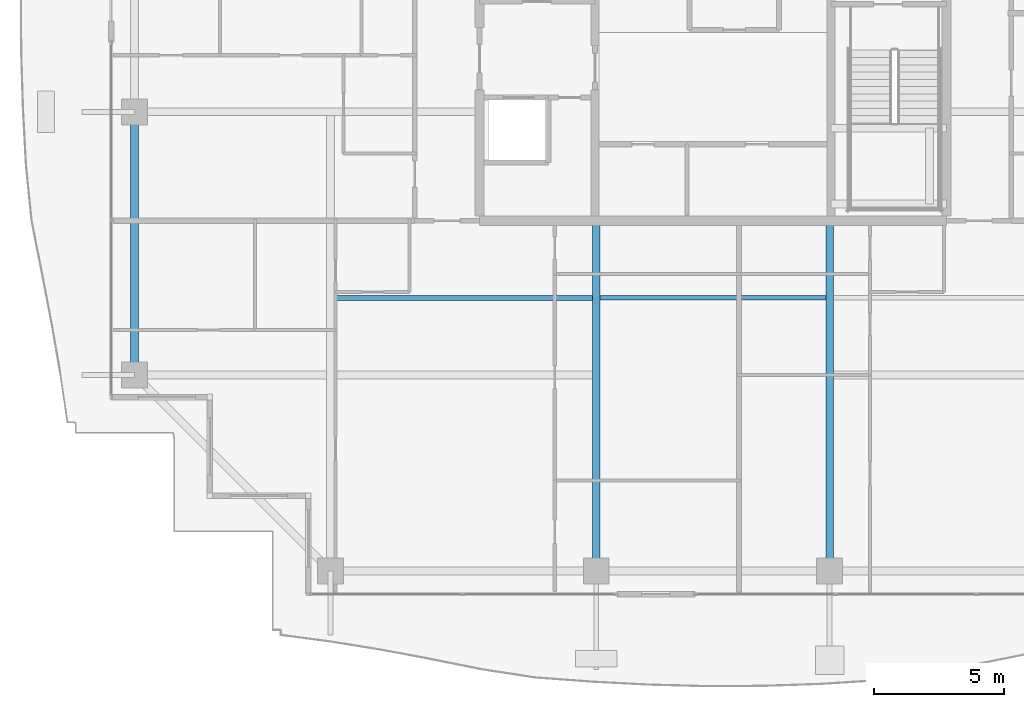
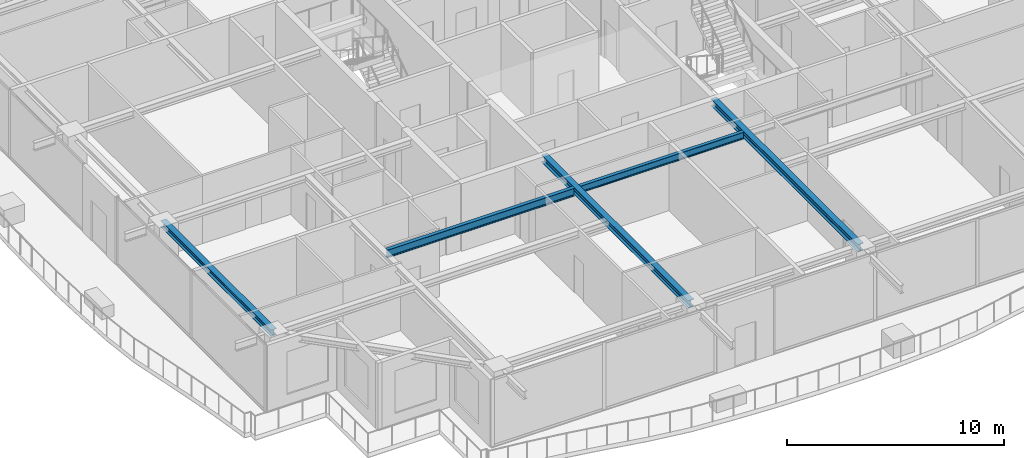
# One storey, part 6 of 38: 5 beams.
"""IFC4 building model written with IfcOpenShell, lengths in metres."""

from ifc_helpers import new_model, si_unit, direction, frame, origin, origin_2d, place, context, subcontext, project, spatial, i_section, extrude, source, transform, mapped, material, material_profile, profile_set, type_object, element, save


model = new_model("IFC4")

# Units and contexts
model_context = context("Model", 3, precision=1e-05, world=origin(), true_north=direction((0.0, 1.0)))
body_context = subcontext(model_context, "Body", "Model", "MODEL_VIEW")
ifc_project = project(units=[si_unit("LENGTHUNIT", "METRE"), si_unit("AREAUNIT", "SQUARE_METRE"), si_unit("VOLUMEUNIT", "CUBIC_METRE"), si_unit("PLANEANGLEUNIT", "RADIAN"), si_unit("MASSUNIT", "GRAM", prefix="KILO")], contexts=[model_context])

# Site, building, storey
site_placement = place(None, origin())
site = spatial("IfcSite", under=ifc_project, at=site_placement, CompositionType="ELEMENT")
building_placement = place(site_placement, origin())
building = spatial("IfcBuilding", under=site, at=building_placement, Name="Serunith Strait Residences", CompositionType="ELEMENT")
storey_placement = place(building_placement, frame((0.0, 0.0, 321.800048828125)))
storey = spatial("IfcBuildingStorey", under=building, at=storey_placement, Name="L80", CompositionType="ELEMENT", Elevation=321.800048828125)

# Beams
ifc_material = material(Name="Steel S355J2", Category="steel")
ifc_material_profile_1 = material_profile(ifc_material, i_section(OverallWidth=0.179931640625, OverallDepth=0.39990234375, WebThickness=0.008544921875, FlangeThickness=0.013427734375, FilletRadius=0.02099609375, at=origin_2d()), Name="IPE 400")
ifc_profile_set_1 = profile_set([ifc_material_profile_1], Name="Steel S355J2")
beam_type_1 = type_object("IfcBeamType", Name="BM-IPE400", PredefinedType="JOIST", material=ifc_profile_set_1)
shared_shape_1 = source(origin(), body_context, "Body", "SweptSolid", [
    extrude(i_section(OverallWidth=0.179931640625, OverallDepth=0.39990234375, WebThickness=0.008544921875, FlangeThickness=0.013427734375, FilletRadius=0.02099609375, at=origin_2d()), origin(), (0.0, 0.0, 1.0), 8.699951171875),
])
beam_1_placement = place(storey_placement, frame((28.050048828125, 13.824951171875, 3.5869140625), z_axis=(1.0, 0.0, 0.0), x_axis=(0.0, 1.0, 0.0)))
element("IfcBeam", 1, at=beam_1_placement, inside=storey, type_object=beam_type_1, Name="L80 Composite Floor Joist 02", PredefinedType="JOIST", context=body_context, shape_type="MappedRepresentation", body=[
    mapped(shared_shape_1, transform((0.0, 0.0, 0.0), scale=1.0)),
])
ifc_material_profile_2 = material_profile(ifc_material, i_section(OverallWidth=0.18994140625, OverallDepth=0.449951171875, WebThickness=0.009521484375, FlangeThickness=0.0146484375, FilletRadius=0.02099609375, at=origin_2d()), Name="IPE 450")
ifc_profile_set_2 = profile_set([ifc_material_profile_2], Name="Steel S355J2")
beam_type_2 = type_object("IfcBeamType", Name="BM-IPE450", PredefinedType="JOIST", material=ifc_profile_set_2)
shared_shape_2 = source(origin(), body_context, "Body", "SweptSolid", [
    extrude(i_section(OverallWidth=0.18994140625, OverallDepth=0.449951171875, WebThickness=0.009521484375, FlangeThickness=0.0146484375, FilletRadius=0.02099609375, at=origin_2d()), origin(), (0.0, 0.0, 1.0), 9.949951171875),
])
beam_2_placement = place(storey_placement, frame((17.800048828125, 13.824951171875, 3.56201171875), z_axis=(1.0, 0.0, 0.0), x_axis=(0.0, 1.0, 0.0)))
element("IfcBeam", 2, at=beam_2_placement, inside=storey, type_object=beam_type_2, Name="L80 Composite Floor Joist 01", PredefinedType="JOIST", context=body_context, shape_type="MappedRepresentation", body=[
    mapped(shared_shape_2, transform((0.0, 0.0, 0.0), scale=1.0)),
])
ifc_material_profile_3 = material_profile(ifc_material, i_section(OverallWidth=0.300048828125, OverallDepth=0.39990234375, WebThickness=0.013427734375, FlangeThickness=0.02392578125, FilletRadius=0.027099609375, at=origin_2d()), Name="HEB 400")
ifc_profile_set_3 = profile_set([ifc_material_profile_3], Name="Steel S355J2")
beam_type_3 = type_object("IfcBeamType", Name="BM-HEB400", PredefinedType="BEAM", material=ifc_profile_set_3)
shared_shape_3 = source(origin(), body_context, "Body", "SweptSolid", [
    extrude(i_section(OverallWidth=0.300048828125, OverallDepth=0.39990234375, WebThickness=0.013427734375, FlangeThickness=0.02392578125, FilletRadius=0.027099609375, at=origin_2d()), origin(), (0.0, 0.0, 1.0), 13.5),
])
for number, where, z_axis, x_axis, name in (
    (3, (27.89990234375, 16.800048828125, 3.5869140625), (0.0, -1.0, 0.0), (1.0, 0.0, 0.0), "L80 Primary Floor Girder TC-S2"),
    (4, (36.89990234375, 16.800048828125, 3.5869140625), (0.0, -1.0, 0.0), (1.0, 0.0, 0.0), "L80 Primary Floor Girder TC-S3"),
):
    element("IfcBeam", number, at=place(storey_placement, frame(where, z_axis=z_axis, x_axis=x_axis)), inside=storey, type_object=beam_type_3, Name=name, PredefinedType="BEAM", context=body_context, shape_type="MappedRepresentation", body=[
        mapped(shared_shape_3, transform((0.0, 0.0, 0.0), scale=1.0)),
    ])
ifc_material_profile_4 = material_profile(ifc_material, i_section(OverallWidth=0.300048828125, OverallDepth=0.360107421875, WebThickness=0.012451171875, FlangeThickness=0.0224609375, FilletRadius=0.027099609375, at=origin_2d()), Name="HEB 360")
ifc_profile_set_4 = profile_set([ifc_material_profile_4], Name="Steel S355J2")
beam_type_4 = type_object("IfcBeamType", Name="BM-HEB360", PredefinedType="BEAM", material=ifc_profile_set_4)
shared_shape_4 = source(origin(), body_context, "Body", "SweptSolid", [
    extrude(i_section(OverallWidth=0.300048828125, OverallDepth=0.360107421875, WebThickness=0.012451171875, FlangeThickness=0.0224609375, FilletRadius=0.027099609375, at=origin_2d()), origin(), (0.0, 0.0, 1.0), 10.14990234375),
])
beam_3_placement = place(storey_placement, frame((10.10009765625, 21.0, 3.60693359375), z_axis=(0.0, -1.0, 0.0), x_axis=(1.0, 0.0, 0.0)))
element("IfcBeam", 5, at=beam_3_placement, inside=storey, type_object=beam_type_4, Name="L80 Perimeter Ring Beam 15", PredefinedType="BEAM", context=body_context, shape_type="MappedRepresentation", body=[
    mapped(shared_shape_4, transform((0.0, 0.0, 0.0), scale=1.0)),
])

save(model, "model.ifc")
